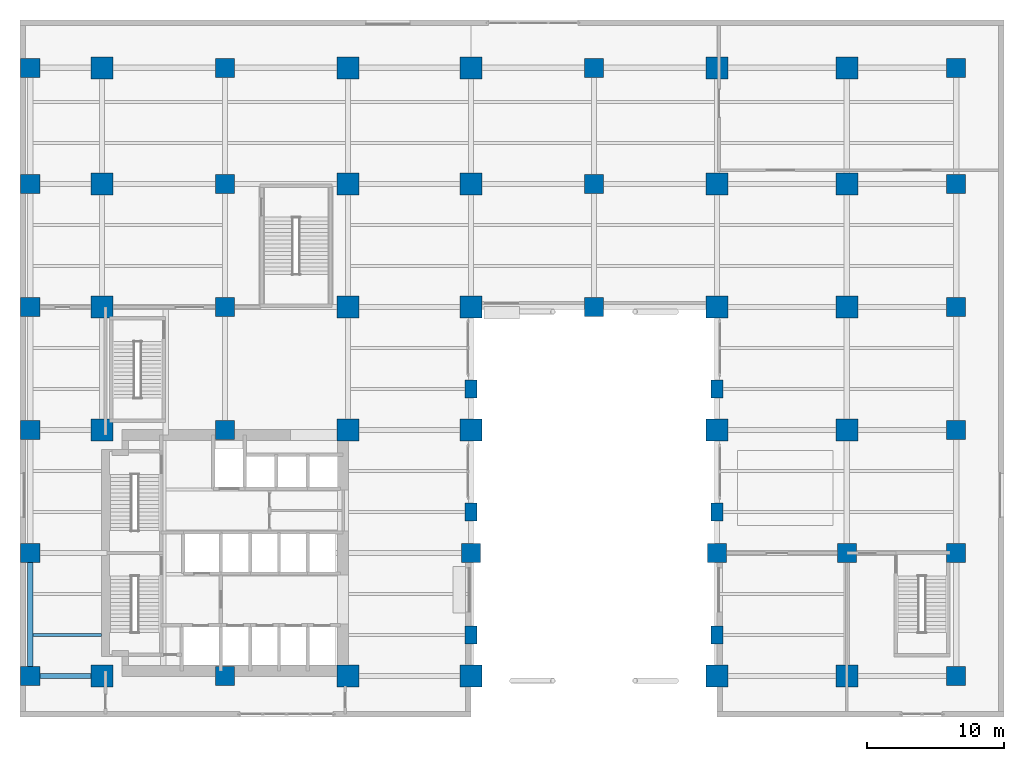
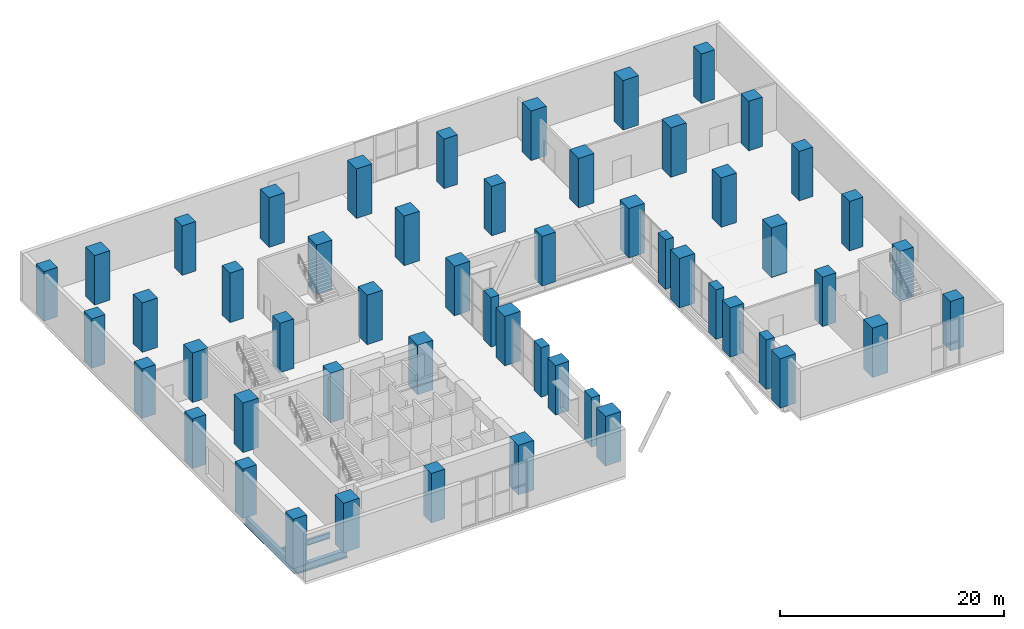
# One storey, part 1 of 20: 54 columns, 3 beams.
"""IFC4 building model written with IfcOpenShell, lengths in metres."""

from ifc_helpers import new_model, si_unit, direction, frame, origin, origin_2d, place, context, subcontext, project, spatial, rectangle, i_section, extrude, material, material_profile, profile_set, type_object, element, save


model = new_model("IFC4")

# Units and contexts
model_context = context("Model", 3, precision=1e-05, world=origin(), true_north=direction((0.0, 1.0)))
body_context = subcontext(model_context, "Body", "Model", "MODEL_VIEW")
ifc_project = project(units=[si_unit("LENGTHUNIT", "METRE"), si_unit("AREAUNIT", "SQUARE_METRE"), si_unit("VOLUMEUNIT", "CUBIC_METRE"), si_unit("PLANEANGLEUNIT", "RADIAN"), si_unit("MASSUNIT", "GRAM", prefix="KILO")], contexts=[model_context])

# Site, building, storey
site_placement = place(None, origin())
site = spatial("IfcSite", under=ifc_project, at=site_placement, CompositionType="ELEMENT")
building_placement = place(site_placement, origin())
building = spatial("IfcBuilding", under=site, at=building_placement, Name="Mawjdan Bourse Tower", CompositionType="ELEMENT")
storey_placement = place(building_placement, frame((0.0, 0.0, 5.39990234375)))
storey = spatial("IfcBuildingStorey", under=building, at=storey_placement, Name="L01", CompositionType="ELEMENT", Elevation=5.39990234375)

# Columns
ifc_material_1 = material(Name="Concrete C80/95", Category="concrete")
ifc_material_profile_1 = material_profile(ifc_material_1, rectangle(XDim=1.39990234375, YDim=1.39990234375, at=origin_2d()), Name="RC1400X1400")
ifc_profile_set_1 = profile_set([ifc_material_profile_1], Name="Concrete C80/95")
column_type_1 = type_object("IfcColumnType", Name="COL-RC1400X1400", PredefinedType="COLUMN", material=ifc_profile_set_1)
for number, where, z_axis, x_axis, name in (
    (1, (0.75, 3.0, 0.0), (0.0, 0.0, 1.0), (1.0, 0.0, 0.0), "L01 Structural Column C-X8-Y30"),
    (2, (0.75, 12.0, 0.0), (0.0, 0.0, 1.0), (1.0, 0.0, 0.0), "L01 Structural Column C-X8-Y120"),
    (3, (0.75, 21.0, 0.0), (0.0, 0.0, 1.0), (1.0, 0.0, 0.0), "L01 Structural Column C-X8-Y210"),
    (4, (0.75, 30.0, 0.0), (0.0, 0.0, 1.0), (1.0, 0.0, 0.0), "L01 Structural Column C-X8-Y300"),
    (5, (0.75, 39.0, 0.0), (0.0, 0.0, 1.0), (1.0, 0.0, 0.0), "L01 Structural Column C-X8-Y390"),
    (6, (0.75, 47.5, 0.0), (0.0, 0.0, 1.0), (1.0, 0.0, 0.0), "L01 Structural Column C-X8-Y475"),
    (7, (15.0, 3.0, 0.0), (0.0, 0.0, 1.0), (1.0, 0.0, 0.0), "L01 Structural Column C-X150-Y30"),
    (8, (15.0, 21.0, 0.0), (0.0, 0.0, 1.0), (1.0, 0.0, 0.0), "L01 Structural Column C-X150-Y210"),
    (9, (15.0, 30.0, 0.0), (0.0, 0.0, 1.0), (1.0, 0.0, 0.0), "L01 Structural Column C-X150-Y300"),
    (10, (15.0, 39.0, 0.0), (0.0, 0.0, 1.0), (1.0, 0.0, 0.0), "L01 Structural Column C-X150-Y390"),
    (11, (15.0, 47.5, 0.0), (0.0, 0.0, 1.0), (1.0, 0.0, 0.0), "L01 Structural Column C-X150-Y475"),
    (12, (33.0, 12.0, 0.0), (0.0, 0.0, 1.0), (1.0, 0.0, 0.0), "L01 Structural Column C-X330-Y120"),
    (13, (42.0, 30.0, 0.0), (0.0, 0.0, 1.0), (1.0, 0.0, 0.0), "L01 Structural Column C-X420-Y300"),
    (14, (42.0, 39.0, 0.0), (0.0, 0.0, 1.0), (1.0, 0.0, 0.0), "L01 Structural Column C-X420-Y390"),
    (15, (42.0, 47.5, 0.0), (0.0, 0.0, 1.0), (1.0, 0.0, 0.0), "L01 Structural Column C-X420-Y475"),
    (16, (51.0, 12.0, 0.0), (0.0, 0.0, 1.0), (1.0, 0.0, 0.0), "L01 Structural Column C-X510-Y120"),
    (17, (60.5, 12.0, 0.0), (0.0, 0.0, 1.0), (1.0, 0.0, 0.0), "L01 Structural Column C-X605-Y120"),
    (18, (68.5, 3.0, 0.0), (0.0, 0.0, 1.0), (1.0, 0.0, 0.0), "L01 Structural Column C-X685-Y30"),
    (19, (68.5, 12.0, 0.0), (0.0, 0.0, 1.0), (1.0, 0.0, 0.0), "L01 Structural Column C-X685-Y120"),
    (20, (68.5, 21.0, 0.0), (0.0, 0.0, 1.0), (1.0, 0.0, 0.0), "L01 Structural Column C-X685-Y210"),
    (21, (68.5, 30.0, 0.0), (0.0, 0.0, 1.0), (1.0, 0.0, 0.0), "L01 Structural Column C-X685-Y300"),
    (22, (68.5, 39.0, 0.0), (0.0, 0.0, 1.0), (1.0, 0.0, 0.0), "L01 Structural Column C-X685-Y390"),
    (23, (68.5, 47.5, 0.0), (0.0, 0.0, 1.0), (1.0, 0.0, 0.0), "L01 Structural Column C-X685-Y475"),
):
    element("IfcColumn", number, at=place(storey_placement, frame(where, z_axis=z_axis, x_axis=x_axis)), inside=storey, type_object=column_type_1, Name=name, PredefinedType="COLUMN", context=body_context, shape_type="SweptSolid", body=[
        extrude(rectangle(XDim=1.39990234375, YDim=1.39990234375, at=origin_2d()), origin(), (0.0, 0.0, 1.0), 5.400146484375),
    ])
ifc_material_profile_2 = material_profile(ifc_material_1, rectangle(XDim=1.60009765625, YDim=1.60009765625, at=origin_2d()), Name="RC1600X1600")
ifc_profile_set_2 = profile_set([ifc_material_profile_2], Name="Concrete C80/95")
column_type_2 = type_object("IfcColumnType", Name="COL-RC1600X1600", PredefinedType="COLUMN", material=ifc_profile_set_2)
for number, where, z_axis, x_axis, name in (
    (24, (6.0, 3.0, 0.0), (0.0, 0.0, 1.0), (1.0, 0.0, 0.0), "L01 Structural Column C-X60-Y30"),
    (25, (6.0, 21.0, 0.0), (0.0, 0.0, 1.0), (1.0, 0.0, 0.0), "L01 Structural Column C-X60-Y210"),
    (26, (6.0, 30.0, 0.0), (0.0, 0.0, 1.0), (1.0, 0.0, 0.0), "L01 Structural Column C-X60-Y300"),
    (27, (6.0, 39.0, 0.0), (0.0, 0.0, 1.0), (1.0, 0.0, 0.0), "L01 Structural Column C-X60-Y390"),
    (28, (6.0, 47.5, 0.0), (0.0, 0.0, 1.0), (1.0, 0.0, 0.0), "L01 Structural Column C-X60-Y475"),
    (29, (24.0, 3.0, 0.0), (0.0, 0.0, 1.0), (1.0, 0.0, 0.0), "L01 Structural Column C-X240-Y30"),
    (30, (24.0, 21.0, 0.0), (0.0, 0.0, 1.0), (1.0, 0.0, 0.0), "L01 Structural Column C-X240-Y210"),
    (31, (24.0, 30.0, 0.0), (0.0, 0.0, 1.0), (1.0, 0.0, 0.0), "L01 Structural Column C-X240-Y300"),
    (32, (24.0, 39.0, 0.0), (0.0, 0.0, 1.0), (1.0, 0.0, 0.0), "L01 Structural Column C-X240-Y390"),
    (33, (24.0, 47.5, 0.0), (0.0, 0.0, 1.0), (1.0, 0.0, 0.0), "L01 Structural Column C-X240-Y475"),
    (34, (33.0, 3.0, 0.0), (0.0, 0.0, 1.0), (1.0, 0.0, 0.0), "L01 Structural Column C-X330-Y30"),
    (35, (33.0, 21.0, 0.0), (0.0, 0.0, 1.0), (1.0, 0.0, 0.0), "L01 Structural Column C-X330-Y210"),
    (36, (33.0, 30.0, 0.0), (0.0, 0.0, 1.0), (1.0, 0.0, 0.0), "L01 Structural Column C-X330-Y300"),
    (37, (33.0, 39.0, 0.0), (0.0, 0.0, 1.0), (1.0, 0.0, 0.0), "L01 Structural Column C-X330-Y390"),
    (38, (33.0, 47.5, 0.0), (0.0, 0.0, 1.0), (1.0, 0.0, 0.0), "L01 Structural Column C-X330-Y475"),
    (39, (51.0, 3.0, 0.0), (0.0, 0.0, 1.0), (1.0, 0.0, 0.0), "L01 Structural Column C-X510-Y30"),
    (40, (51.0, 21.0, 0.0), (0.0, 0.0, 1.0), (1.0, 0.0, 0.0), "L01 Structural Column C-X510-Y210"),
    (41, (51.0, 30.0, 0.0), (0.0, 0.0, 1.0), (1.0, 0.0, 0.0), "L01 Structural Column C-X510-Y300"),
    (42, (51.0, 39.0, 0.0), (0.0, 0.0, 1.0), (1.0, 0.0, 0.0), "L01 Structural Column C-X510-Y390"),
    (43, (51.0, 47.5, 0.0), (0.0, 0.0, 1.0), (1.0, 0.0, 0.0), "L01 Structural Column C-X510-Y475"),
    (44, (60.5, 3.0, 0.0), (0.0, 0.0, 1.0), (1.0, 0.0, 0.0), "L01 Structural Column C-X605-Y30"),
    (45, (60.5, 21.0, 0.0), (0.0, 0.0, 1.0), (1.0, 0.0, 0.0), "L01 Structural Column C-X605-Y210"),
    (46, (60.5, 30.0, 0.0), (0.0, 0.0, 1.0), (1.0, 0.0, 0.0), "L01 Structural Column C-X605-Y300"),
    (47, (60.5, 39.0, 0.0), (0.0, 0.0, 1.0), (1.0, 0.0, 0.0), "L01 Structural Column C-X605-Y390"),
    (48, (60.5, 47.5, 0.0), (0.0, 0.0, 1.0), (1.0, 0.0, 0.0), "L01 Structural Column C-X605-Y475"),
):
    element("IfcColumn", number, at=place(storey_placement, frame(where, z_axis=z_axis, x_axis=x_axis)), inside=storey, type_object=column_type_2, Name=name, PredefinedType="COLUMN", context=body_context, shape_type="SweptSolid", body=[
        extrude(rectangle(XDim=1.60009765625, YDim=1.60009765625, at=origin_2d()), origin(), (0.0, 0.0, 1.0), 5.400146484375),
    ])
ifc_material_2 = material(Name="Concrete C70/85", Category="concrete")
ifc_material_profile_3 = material_profile(ifc_material_2, rectangle(XDim=0.85009765625, YDim=1.300048828125, at=origin_2d()), Name="RC1300X850")
ifc_profile_set_3 = profile_set([ifc_material_profile_3], Name="Concrete C70/85")
column_type_3 = type_object("IfcColumnType", Name="PIL-RC1300X850", PredefinedType="PILASTER", material=ifc_profile_set_3)
for number, where, z_axis, x_axis, name in (
    (49, (33.0, 6.0, 0.0), (0.0, 0.0, 1.0), (1.0, 0.0, 0.0), "L01 Engaged Pier Pilaster PIL-X330-Y60"),
    (50, (33.0, 15.0, 0.0), (0.0, 0.0, 1.0), (1.0, 0.0, 0.0), "L01 Engaged Pier Pilaster PIL-X330-Y150"),
    (51, (33.0, 24.0, 0.0), (0.0, 0.0, 1.0), (1.0, 0.0, 0.0), "L01 Engaged Pier Pilaster PIL-X330-Y240"),
    (52, (51.0, 6.0, 0.0), (0.0, 0.0, 1.0), (1.0, 0.0, 0.0), "L01 Engaged Pier Pilaster PIL-X510-Y60"),
    (53, (51.0, 15.0, 0.0), (0.0, 0.0, 1.0), (1.0, 0.0, 0.0), "L01 Engaged Pier Pilaster PIL-X510-Y150"),
    (54, (51.0, 24.0, 0.0), (0.0, 0.0, 1.0), (1.0, 0.0, 0.0), "L01 Engaged Pier Pilaster PIL-X510-Y240"),
):
    element("IfcColumn", number, at=place(storey_placement, frame(where, z_axis=z_axis, x_axis=x_axis)), inside=storey, type_object=column_type_3, Name=name, PredefinedType="PILASTER", context=body_context, shape_type="SweptSolid", body=[
        extrude(rectangle(XDim=0.85009765625, YDim=1.300048828125, at=origin_2d()), origin(), (0.0, 0.0, 1.0), 5.400146484375),
    ])

# Beams
ifc_material_3 = material(Name="Structural Steel S355", Category="steel")
ifc_material_profile_4 = material_profile(ifc_material_3, i_section(OverallWidth=0.39892578125, OverallDepth=0.85595703125, WebThickness=0.018310546875, FlangeThickness=0.029296875, FilletRadius=0.0234375, at=origin_2d()), Name="W33X201")
ifc_profile_set_4 = profile_set([ifc_material_profile_4], Name="Structural Steel S355")
beam_type_1 = type_object("IfcBeamType", Name="GRD-W33X201", PredefinedType="BEAM", material=ifc_profile_set_4)
beam_1_placement = place(storey_placement, frame((0.75, 3.0, -0.727783203125), z_axis=(0.0, 1.0, 0.0), x_axis=(-1.0, 0.0, 0.0)))
element("IfcBeam", 55, at=beam_1_placement, inside=storey, type_object=beam_type_1, Name="L01 West Facade Pier Girder 002", PredefinedType="BEAM", context=body_context, shape_type="SweptSolid", body=[
    extrude(i_section(OverallWidth=0.39892578125, OverallDepth=0.85595703125, WebThickness=0.018310546875, FlangeThickness=0.029296875, FilletRadius=0.0234375, at=origin_2d()), origin(), (0.0, 0.0, 1.0), 9.0),
])
beam_2_placement = place(storey_placement, frame((0.75, 3.0, -0.727783203125), z_axis=(1.0, 0.0, 0.0), x_axis=(0.0, 1.0, 0.0)))
element("IfcBeam", 56, at=beam_2_placement, inside=storey, type_object=beam_type_1, Name="L01 Podium Tie Girder 041", PredefinedType="BEAM", context=body_context, shape_type="SweptSolid", body=[
    extrude(i_section(OverallWidth=0.39892578125, OverallDepth=0.85595703125, WebThickness=0.018310546875, FlangeThickness=0.029296875, FilletRadius=0.0234375, at=origin_2d()), origin(), (0.0, 0.0, 1.0), 5.25),
])
ifc_material_profile_5 = material_profile(ifc_material_3, i_section(OverallWidth=0.22998046875, OverallDepth=0.616943359375, WebThickness=0.01318359375, FlangeThickness=0.022216796875, FilletRadius=0.017822265625, at=origin_2d()), Name="W24X94")
ifc_profile_set_5 = profile_set([ifc_material_profile_5], Name="Structural Steel S355")
beam_type_2 = type_object("IfcBeamType", Name="JST-W24X94", PredefinedType="JOIST", material=ifc_profile_set_5)
beam_3_placement = place(storey_placement, frame((0.947509765625, 6.0, -0.6083984375), z_axis=(1.0, 0.0, 0.0), x_axis=(0.0, 1.0, 0.0)))
element("IfcBeam", 57, at=beam_3_placement, inside=storey, type_object=beam_type_2, Name="L01 Composite Floor Joist 077", PredefinedType="JOIST", context=body_context, shape_type="SweptSolid", body=[
    extrude(i_section(OverallWidth=0.22998046875, OverallDepth=0.616943359375, WebThickness=0.01318359375, FlangeThickness=0.022216796875, FilletRadius=0.017822265625, at=origin_2d()), origin(), (0.0, 0.0, 1.0), 5.012451171875),
])

save(model, "model.ifc")
